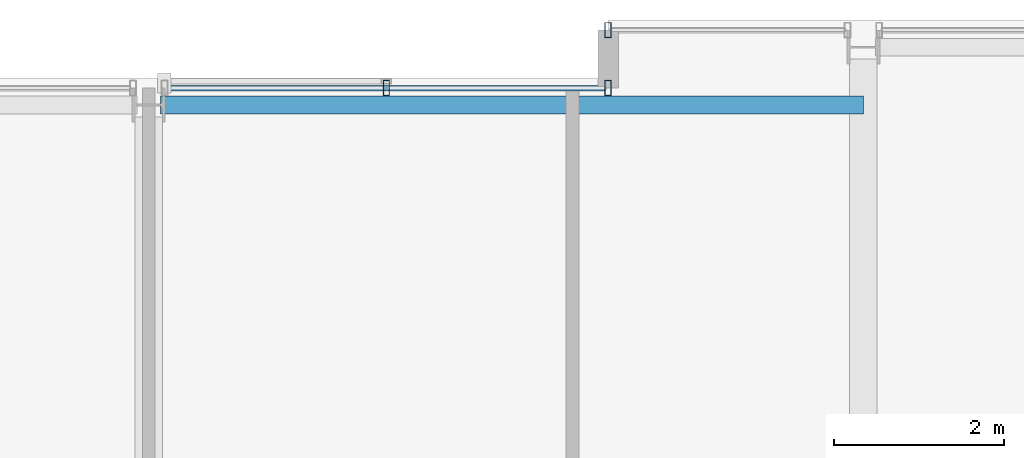
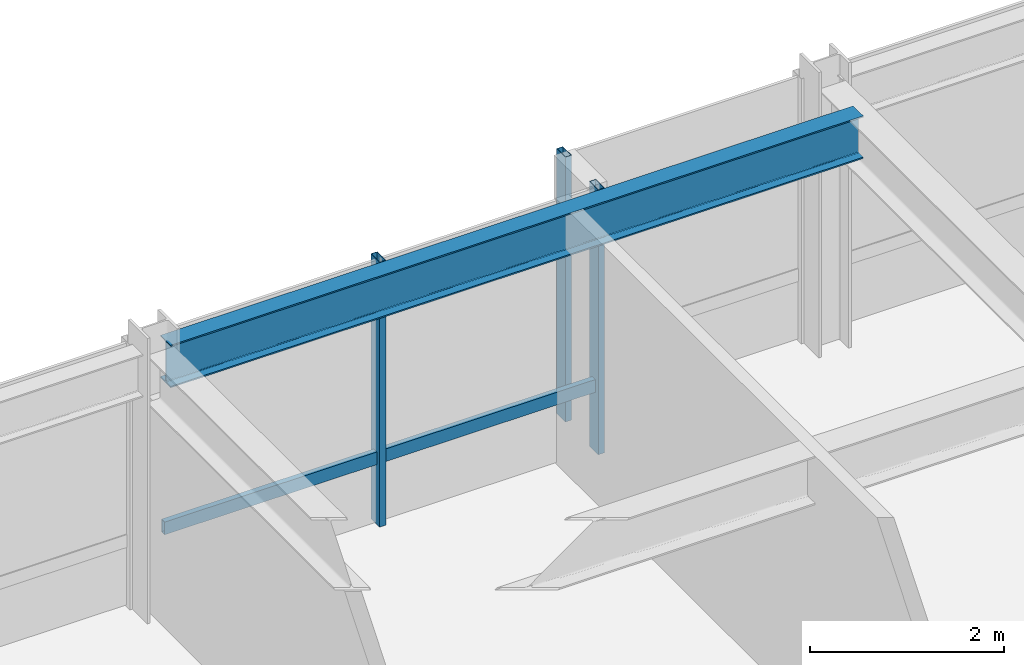
# One storey, part 20 of 32: 4 members, 1 beam, 2 elements without a shape of their own.
"""IFC4 building model written with IfcOpenShell, lengths in metres."""

from ifc_helpers import new_model, si_unit, direction, frame, origin, origin_2d, place, context, subcontext, project, spatial, hollow_rectangle, i_section, extrude, material, layer, layer_set, material_profile, profile_set, type_object, element, aggregate, save


model = new_model("IFC4")

# Units and contexts
model_context = context("Model", 3, precision=1e-05, world=origin(), true_north=direction((0.0, 1.0)))
body_context = subcontext(model_context, "Body", "Model", "MODEL_VIEW")
ifc_project = project(units=[si_unit("LENGTHUNIT", "METRE"), si_unit("AREAUNIT", "SQUARE_METRE"), si_unit("VOLUMEUNIT", "CUBIC_METRE"), si_unit("PLANEANGLEUNIT", "RADIAN"), si_unit("MASSUNIT", "GRAM", prefix="KILO")], contexts=[model_context])

# Site, building, storey
site_placement = place(None, origin())
site = spatial("IfcSite", under=ifc_project, at=site_placement, CompositionType="ELEMENT")
building_placement = place(site_placement, origin())
building = spatial("IfcBuilding", under=site, at=building_placement, Name="Drelvath Grand Hotel", CompositionType="ELEMENT")
storey_placement = place(building_placement, frame((0.0, 0.0, 205.10009765625)))
storey = spatial("IfcBuildingStorey", under=building, at=storey_placement, Name="L53", CompositionType="ELEMENT", Elevation=205.10009765625)

# Curtain wall, members
ifc_material_1 = material(Name="Platinum-Mist Anodised Aluminium Frame", Category="aluminium")
ifc_layer = layer(ifc_material_1, 0.199951171875)
ifc_layer_set = layer_set([ifc_layer], Name="Platinum-Mist Anodised Aluminium Frame")
curtain_wall_type = type_object("IfcCurtainWallType", Name="Stick Curtain Wall CW-05 Platinum Mist High-Rise", PredefinedType="NOTDEFINED", material=ifc_layer_set)
curtain_wall_1_placement = place(storey_placement, origin())
curtain_wall_1 = element("IfcCurtainWall", 1, at=curtain_wall_1_placement, inside=storey, type_object=curtain_wall_type, Name="L53 CW-05 Curtain Wall CW05-L53-NM2", PredefinedType="NOTDEFINED")
ifc_material_profile_1 = material_profile(ifc_material_1, hollow_rectangle(XDim=0.06494140625, YDim=0.159912109375, WallThickness=0.00390625, at=origin_2d()), Name="HSS160X65X4")
ifc_profile_set_1 = profile_set([ifc_material_profile_1], Name="Platinum-Mist Anodised Aluminium Frame")
member_type_1 = type_object("IfcMemberType", Name="Curtain Wall Horizontal Transom CW-05 HSS160X65X4", PredefinedType="USERDEFINED", material=ifc_profile_set_1)
member_1_placement = place(storey_placement, frame((0.225341796875, 48.39990234375, 0.8349609375), z_axis=(1.0, 0.0, 0.0), x_axis=(0.0, 1.0, 0.0)))
member_1 = element("IfcMember", 2, at=member_1_placement, type_object=member_type_1, Name="CW05-L53-NM2 Sill Transom", ObjectType="TRANSOM", PredefinedType="USERDEFINED", context=body_context, shape_type="SweptSolid", body=[
    extrude(hollow_rectangle(XDim=0.06494140625, YDim=0.159912109375, WallThickness=0.00390625, at=origin_2d()), origin(), (0.0, 0.0, 1.0), 5.134765625),
])
ifc_material_profile_2 = material_profile(ifc_material_1, hollow_rectangle(XDim=0.074951171875, YDim=0.179931640625, WallThickness=0.0048828125, at=origin_2d()), Name="HSS180X75X5")
ifc_profile_set_2 = profile_set([ifc_material_profile_2], Name="Platinum-Mist Anodised Aluminium Frame")
member_type_2 = type_object("IfcMemberType", Name="Curtain Wall Vertical Mullion CW-05 HSS180X75X5", PredefinedType="MULLION", material=ifc_profile_set_2)
member_2_placement = place(storey_placement, frame((2.792724609375, 48.39990234375, 0.0), z_axis=(0.0, 0.0, 1.0), x_axis=(1.0, 0.0, 0.0)))
member_2 = element("IfcMember", 3, at=member_2_placement, type_object=member_type_2, Name="CW05-L53-NM2 Mullion 2", PredefinedType="MULLION", context=body_context, shape_type="SweptSolid", body=[
    extrude(hollow_rectangle(XDim=0.074951171875, YDim=0.179931640625, WallThickness=0.0048828125, at=origin_2d()), origin(), (0.0, 0.0, 1.0), 3.33984375),
])
member_3_placement = place(storey_placement, frame((5.39990234375, 48.39990234375, 0.0), z_axis=(0.0, 0.0, 1.0), x_axis=(1.0, 0.0, 0.0)))
member_3 = element("IfcMember", 4, at=member_3_placement, type_object=member_type_2, Name="CW05-L53-NM2 Mullion 3", PredefinedType="MULLION", context=body_context, shape_type="SweptSolid", body=[
    extrude(hollow_rectangle(XDim=0.074951171875, YDim=0.179931640625, WallThickness=0.0048828125, at=origin_2d()), origin(), (0.0, 0.0, 1.0), 3.33984375),
])
aggregate(curtain_wall_1, [member_2, member_3, member_1])

# Curtain wall, member
curtain_wall_2_placement = place(storey_placement, origin())
curtain_wall_2 = element("IfcCurtainWall", 5, at=curtain_wall_2_placement, inside=storey, type_object=curtain_wall_type, Name="L53 CW-05 Curtain Wall CW05-L53-NE1", PredefinedType="NOTDEFINED")
member_4_placement = place(storey_placement, frame((5.39990234375, 49.080078125, 0.0), z_axis=(0.0, 0.0, 1.0), x_axis=(1.0, 0.0, 0.0)))
member_4 = element("IfcMember", 6, at=member_4_placement, type_object=member_type_2, Name="CW05-L53-NE1 Mullion 1", PredefinedType="MULLION", context=body_context, shape_type="SweptSolid", body=[
    extrude(hollow_rectangle(XDim=0.074951171875, YDim=0.179931640625, WallThickness=0.0048828125, at=origin_2d()), origin(), (0.0, 0.0, 1.0), 3.33984375),
])
aggregate(curtain_wall_2, [member_4])

# Beam
ifc_material_2 = material(Name="Steel ASTM A992 Gr 50", Category="steel")
ifc_material_profile_3 = material_profile(ifc_material_2, i_section(OverallWidth=0.210205078125, OverallDepth=0.53662109375, WebThickness=0.010986328125, FlangeThickness=0.017333984375, FilletRadius=0.01806640625, at=origin_2d()), Name="W21X68")
ifc_profile_set_3 = profile_set([ifc_material_profile_3], Name="Steel ASTM A992 Gr 50")
beam_type = type_object("IfcBeamType", Name="Perimeter Spandrel Beam W21X68", PredefinedType="SPANDREL", material=ifc_profile_set_3)
beam_placement = place(storey_placement, frame((0.139892578125, 48.199951171875, 3.071533203125), z_axis=(1.0, 0.0, 0.0), x_axis=(0.0, 1.0, 0.0)))
element("IfcBeam", 7, at=beam_placement, inside=storey, type_object=beam_type, Name="L53 Spandrel North Mid E", PredefinedType="SPANDREL", context=body_context, shape_type="SweptSolid", body=[
    extrude(i_section(OverallWidth=0.210205078125, OverallDepth=0.53662109375, WebThickness=0.010986328125, FlangeThickness=0.017333984375, FilletRadius=0.01806640625, at=origin_2d()), origin(), (0.0, 0.0, 1.0), 8.260009765625),
])

save(model, "model.ifc")
